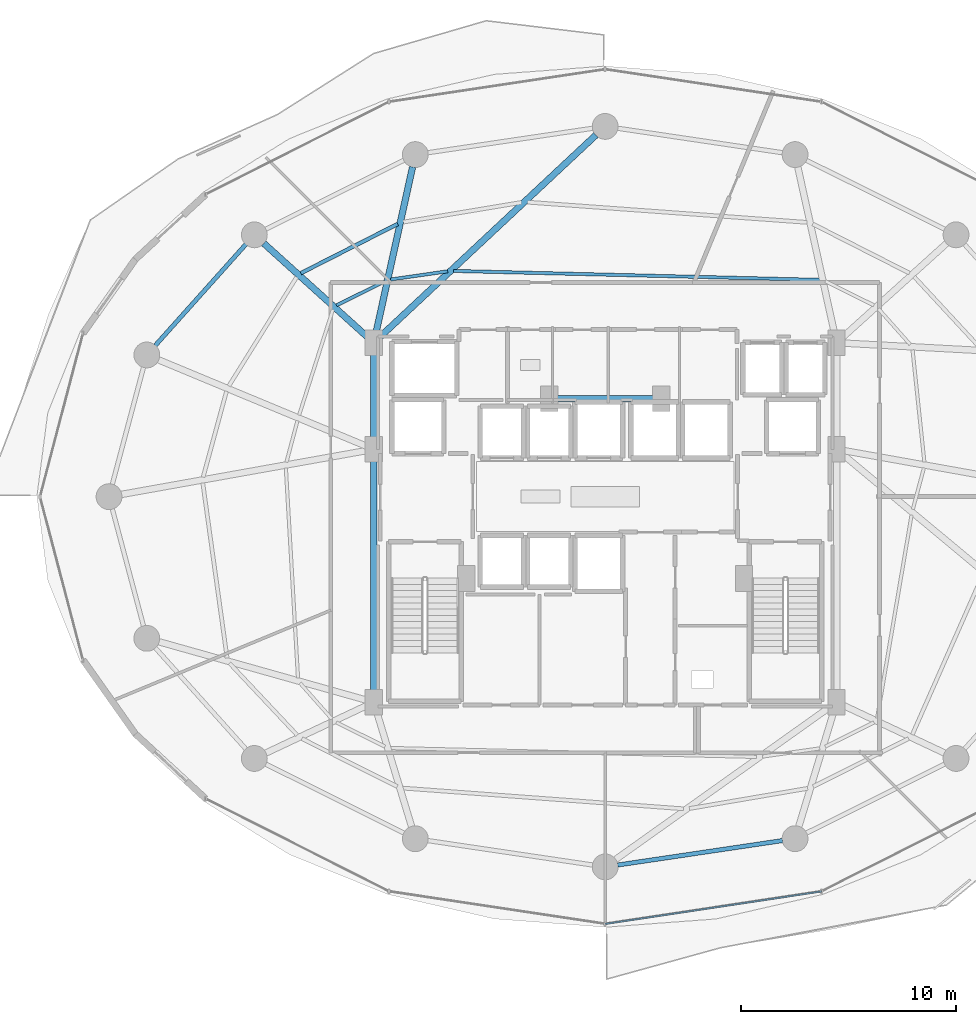
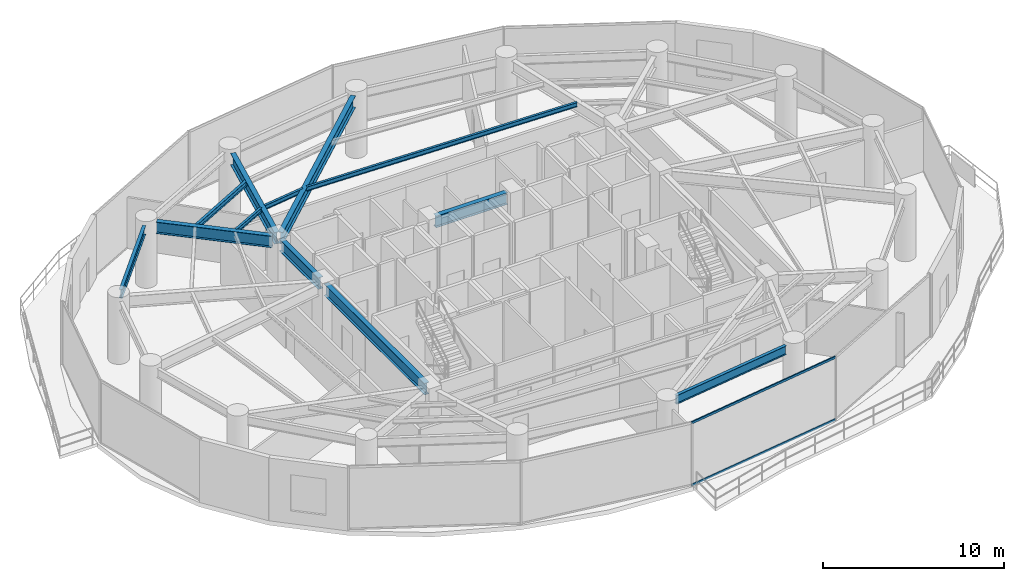
# One storey, part 9 of 27: 12 beams, 2 members, 1 element without a shape of its own.
"""IFC4 building model written with IfcOpenShell, lengths in metres."""

from ifc_helpers import new_model, si_unit, direction, frame, origin, origin_2d, place, context, subcontext, project, spatial, hollow_rectangle, i_section, extrude, material, material_profile, profile_set, type_object, element, aggregate, save


model = new_model("IFC4")

# Units and contexts
model_context = context("Model", 3, precision=1e-05, world=origin(), true_north=direction((0.0, 1.0)))
body_context = subcontext(model_context, "Body", "Model", "MODEL_VIEW")
ifc_project = project(units=[si_unit("LENGTHUNIT", "METRE"), si_unit("AREAUNIT", "SQUARE_METRE"), si_unit("VOLUMEUNIT", "CUBIC_METRE"), si_unit("PLANEANGLEUNIT", "RADIAN"), si_unit("MASSUNIT", "GRAM", prefix="KILO")], contexts=[model_context])

# Site, building, storey
site_placement = place(None, origin())
site = spatial("IfcSite", under=ifc_project, at=site_placement, CompositionType="ELEMENT")
building_placement = place(site_placement, origin())
building = spatial("IfcBuilding", under=site, at=building_placement, Name="Vorneva Point Tower", CompositionType="ELEMENT")
storey_placement = place(building_placement, frame((0.0, 0.0, 74.300048828125)))
storey = spatial("IfcBuildingStorey", under=building, at=storey_placement, Name="L19", CompositionType="ELEMENT", Elevation=74.300048828125)

# Beams
ifc_material_1 = material(Name="Steel S355", Category="steel")
ifc_material_profile_1 = material_profile(ifc_material_1, i_section(OverallWidth=0.300048828125, OverallDepth=0.7880859375, WebThickness=0.014404296875, FlangeThickness=0.02197265625, at=origin_2d()), Name="80Sh1")
ifc_profile_set_1 = profile_set([ifc_material_profile_1], Name="Steel S355")
beam_type_1 = type_object("IfcBeamType", Name="BM-GRD-80Sh1", PredefinedType="USERDEFINED", material=ifc_profile_set_1)
beam_1_placement = place(storey_placement, frame((37.570556640625, 42.79833984375, 3.845947265625), z_axis=(-0.730495062551, -0.682917977204, 0.0), x_axis=(0.682917977204, -0.730495062551, 0.0)))
element("IfcBeam", 1, at=beam_1_placement, inside=storey, type_object=beam_type_1, Name="L19 Radial Primary Girder 05", ObjectType="GIRDER", PredefinedType="USERDEFINED", context=body_context, shape_type="SweptSolid", body=[
    extrude(i_section(OverallWidth=0.300048828125, OverallDepth=0.7880859375, WebThickness=0.014404296875, FlangeThickness=0.02197265625, at=origin_2d()), origin(), (0.0, 0.0, 1.0), 13.788330078125),
])
beam_2_placement = place(storey_placement, frame((29.052490234375, 41.31640625, 3.845947265625), z_axis=(-0.215535114008, -0.976496090432, 0.0), x_axis=(0.976496090432, -0.215535114008, 0.0)))
element("IfcBeam", 2, at=beam_2_placement, inside=storey, type_object=beam_type_1, Name="L19 Radial Primary Girder 06", ObjectType="GIRDER", PredefinedType="USERDEFINED", context=body_context, shape_type="SweptSolid", body=[
    extrude(i_section(OverallWidth=0.300048828125, OverallDepth=0.7880859375, WebThickness=0.014404296875, FlangeThickness=0.02197265625, at=origin_2d()), origin(), (0.0, 0.0, 1.0), 8.02294921875),
])
beam_3_placement = place(storey_placement, frame((22.137451171875, 37.76806640625, 3.845947265625), z_axis=(0.742091876388, -0.670298177678, 0.0), x_axis=(0.670298177678, 0.742091876388, 0.0)))
element("IfcBeam", 3, at=beam_3_placement, inside=storey, type_object=beam_type_1, Name="L19 Radial Primary Girder 07", ObjectType="GIRDER", PredefinedType="USERDEFINED", context=body_context, shape_type="SweptSolid", body=[
    extrude(i_section(OverallWidth=0.300048828125, OverallDepth=0.7880859375, WebThickness=0.014404296875, FlangeThickness=0.02197265625, at=origin_2d()), origin(), (0.0, 0.0, 1.0), 6.549560546875),
])
beam_4_placement = place(storey_placement, frame((27.25, 16.77001953125, 3.845947265625), z_axis=(0.0, 1.0, 0.0), x_axis=(-1.0, 0.0, 0.0)))
element("IfcBeam", 4, at=beam_4_placement, inside=storey, type_object=beam_type_1, Name="L19 Core Tie Girder CT1", ObjectType="GIRDER", PredefinedType="USERDEFINED", context=body_context, shape_type="SweptSolid", body=[
    extrude(i_section(OverallWidth=0.300048828125, OverallDepth=0.7880859375, WebThickness=0.014404296875, FlangeThickness=0.02197265625, at=origin_2d()), origin(), (0.0, 0.0, 1.0), 11.10986328125),
])
beam_5_placement = place(storey_placement, frame((27.25, 28.52001953125, 3.845947265625), z_axis=(0.0, 1.0, 0.0), x_axis=(-1.0, 0.0, 0.0)))
element("IfcBeam", 5, at=beam_5_placement, inside=storey, type_object=beam_type_1, Name="L19 Core Tie Girder CT2", ObjectType="GIRDER", PredefinedType="USERDEFINED", context=body_context, shape_type="SweptSolid", body=[
    extrude(i_section(OverallWidth=0.300048828125, OverallDepth=0.7880859375, WebThickness=0.014404296875, FlangeThickness=0.02197265625, at=origin_2d()), origin(), (0.0, 0.0, 1.0), 4.31005859375),
])
beam_6_placement = place(storey_placement, frame((35.719970703125, 30.550048828125, 3.845947265625), z_axis=(1.0, 0.0, 0.0), x_axis=(0.0, 1.0, 0.0)))
element("IfcBeam", 6, at=beam_6_placement, inside=storey, type_object=beam_type_1, Name="L19 Core Tie Girder CT8", ObjectType="GIRDER", PredefinedType="USERDEFINED", context=body_context, shape_type="SweptSolid", body=[
    extrude(i_section(OverallWidth=0.300048828125, OverallDepth=0.7880859375, WebThickness=0.014404296875, FlangeThickness=0.02197265625, at=origin_2d()), origin(), (0.0, 0.0, 1.0), 4.56005859375),
])
ifc_material_profile_2 = material_profile(ifc_material_1, i_section(OverallWidth=0.14892578125, OverallDepth=0.298095703125, WebThickness=0.005615234375, FlangeThickness=0.008056640625, at=origin_2d()), Name="30B1")
ifc_profile_set_2 = profile_set([ifc_material_profile_2], Name="Steel S355")
beam_type_2 = type_object("IfcBeamType", Name="BM-JST-30B1", PredefinedType="JOIST", material=ifc_profile_set_2)
beam_7_placement = place(storey_placement, frame((47.968017578125, 36.07080078125, 4.091064453125), z_axis=(-0.999702033338, 0.02440992706, 0.0), x_axis=(-0.02440992706, -0.999702033338, 0.0)))
element("IfcBeam", 7, at=beam_7_placement, inside=storey, type_object=beam_type_2, Name="L19 Secondary Floor Beam 2.04", PredefinedType="JOIST", context=body_context, shape_type="SweptSolid", body=[
    extrude(i_section(OverallWidth=0.14892578125, OverallDepth=0.298095703125, WebThickness=0.005615234375, FlangeThickness=0.008056640625, at=origin_2d()), origin(), (0.0, 0.0, 1.0), 17.012939453125),
])
beam_8_placement = place(storey_placement, frame((30.685546875, 36.469970703125, 4.091064453125), z_axis=(-0.9897648112, -0.142708158525, 0.0), x_axis=(0.142708158525, -0.9897648112, 0.0)))
element("IfcBeam", 8, at=beam_8_placement, inside=storey, type_object=beam_type_2, Name="L19 Secondary Floor Beam 2.05", PredefinedType="JOIST", context=body_context, shape_type="SweptSolid", body=[
    extrude(i_section(OverallWidth=0.14892578125, OverallDepth=0.298095703125, WebThickness=0.005615234375, FlangeThickness=0.008056640625, at=origin_2d()), origin(), (0.0, 0.0, 1.0), 2.682373046875),
])
beam_9_placement = place(storey_placement, frame((27.770263671875, 36.006103515625, 4.091064453125), z_axis=(-0.895743418805, -0.444571397716, 0.0), x_axis=(0.444571397716, -0.895743418805, 0.0)))
element("IfcBeam", 9, at=beam_9_placement, inside=storey, type_object=beam_type_2, Name="L19 Secondary Floor Beam 2.06", PredefinedType="JOIST", context=body_context, shape_type="SweptSolid", body=[
    extrude(i_section(OverallWidth=0.14892578125, OverallDepth=0.298095703125, WebThickness=0.005615234375, FlangeThickness=0.008056640625, at=origin_2d()), origin(), (0.0, 0.0, 1.0), 2.51513671875),
])
ifc_material_profile_3 = material_profile(ifc_material_1, i_section(OverallWidth=0.174072265625, OverallDepth=0.345947265625, WebThickness=0.006103515625, FlangeThickness=0.009033203125, at=origin_2d()), Name="35B1")
ifc_profile_set_3 = profile_set([ifc_material_profile_3], Name="Steel S355")
beam_type_3 = type_object("IfcBeamType", Name="BM-SEC-35B1", PredefinedType="BEAM", material=ifc_profile_set_3)
beam_10_placement = place(storey_placement, frame((28.35888671875, 38.66845703125, 4.06689453125), z_axis=(-0.891277687474, -0.453457918457, 0.0), x_axis=(0.453457918457, -0.891277687474, 0.0)))
element("IfcBeam", 10, at=beam_10_placement, inside=storey, type_object=beam_type_3, Name="L19 Secondary Floor Beam 1.06", PredefinedType="BEAM", context=body_context, shape_type="SweptSolid", body=[
    extrude(i_section(OverallWidth=0.174072265625, OverallDepth=0.345947265625, WebThickness=0.006103515625, FlangeThickness=0.009033203125, at=origin_2d()), origin(), (0.0, 0.0, 1.0), 5.042724609375),
])
ifc_material_profile_4 = material_profile(ifc_material_1, i_section(OverallWidth=0.198974609375, OverallDepth=0.595947265625, WebThickness=0.010009765625, FlangeThickness=0.014892578125, at=origin_2d()), Name="60B1")
ifc_profile_set_4 = profile_set([ifc_material_profile_4], Name="Steel S355")
beam_type_4 = type_object("IfcBeamType", Name="BM-SPN-60B1", PredefinedType="SPANDREL", material=ifc_profile_set_4)
beam_11_placement = place(storey_placement, frame((21.31103515625, 37.726318359375, 3.94189453125), z_axis=(-0.667116603584, -0.744953312109, 0.0), x_axis=(0.744953312109, -0.667116603584, 0.0)))
element("IfcBeam", 11, at=beam_11_placement, inside=storey, type_object=beam_type_4, Name="L19 Perimeter Spandrel Ring Beam 07", PredefinedType="SPANDREL", context=body_context, shape_type="SweptSolid", body=[
    extrude(i_section(OverallWidth=0.198974609375, OverallDepth=0.595947265625, WebThickness=0.010009765625, FlangeThickness=0.014892578125, at=origin_2d()), origin(), (0.0, 0.0, 1.0), 6.3203125),
])
beam_12_placement = place(storey_placement, frame((38.57861328125, 8.885986328125, 3.94189453125), z_axis=(0.989164004747, 0.146814753046, 0.0), x_axis=(-0.146814753046, 0.989164004747, 0.0)))
element("IfcBeam", 12, at=beam_12_placement, inside=storey, type_object=beam_type_4, Name="L19 Perimeter Spandrel Ring Beam 13", PredefinedType="SPANDREL", context=body_context, shape_type="SweptSolid", body=[
    extrude(i_section(OverallWidth=0.198974609375, OverallDepth=0.595947265625, WebThickness=0.010009765625, FlangeThickness=0.014892578125, at=origin_2d()), origin(), (0.0, 0.0, 1.0), 7.74755859375),
])

# Curtain wall, members
ifc_material_2 = material(Name="Pale anodised aluminium", Category="aluminium")
curtain_wall_type = type_object("IfcCurtainWallType", Name="CW-SKY-SYS", PredefinedType="NOTDEFINED", material=ifc_material_2)
curtain_wall_placement = place(storey_placement, origin())
curtain_wall = element("IfcCurtainWall", 13, at=curtain_wall_placement, inside=storey, type_object=curtain_wall_type, Name="L19 Unitised Curtain Wall CW-L19-R04", PredefinedType="NOTDEFINED")
ifc_material_profile_5 = material_profile(ifc_material_2, hollow_rectangle(XDim=0.074951171875, YDim=0.14990234375, WallThickness=0.00390625, at=origin_2d()), Name="AL-TRN 150x75x4")
ifc_profile_set_5 = profile_set([ifc_material_profile_5], Name="Pale anodised aluminium")
member_type = type_object("IfcMemberType", Name="CW-TRN-150", PredefinedType="USERDEFINED", material=ifc_profile_set_5)
member_1_placement = place(storey_placement, frame((38.0, 6.14990234375, 0.02001953125), z_axis=(0.988875982167, 0.148742367512, 0.0), x_axis=(-0.148742367512, 0.988875982167, 0.0)))
member_1 = element("IfcMember", 14, at=member_1_placement, type_object=member_type, Name="CW-L19-R04 Transom 03.1", ObjectType="TRANSOM", PredefinedType="USERDEFINED", context=body_context, shape_type="SweptSolid", body=[
    extrude(hollow_rectangle(XDim=0.074951171875, YDim=0.14990234375, WallThickness=0.00390625, at=origin_2d()), origin(), (0.0, 0.0, 1.0), 10.158447265625),
])
member_2_placement = place(storey_placement, frame((38.0, 6.14990234375, 4.219970703125), z_axis=(0.988875982167, 0.148742367512, 0.0), x_axis=(-0.148742367512, 0.988875982167, 0.0)))
member_2 = element("IfcMember", 15, at=member_2_placement, type_object=member_type, Name="CW-L19-R04 Transom 03.2", ObjectType="TRANSOM", PredefinedType="USERDEFINED", context=body_context, shape_type="SweptSolid", body=[
    extrude(hollow_rectangle(XDim=0.074951171875, YDim=0.14990234375, WallThickness=0.00390625, at=origin_2d()), origin(), (0.0, 0.0, 1.0), 10.158447265625),
])
aggregate(curtain_wall, [member_1, member_2])

save(model, "model.ifc")
